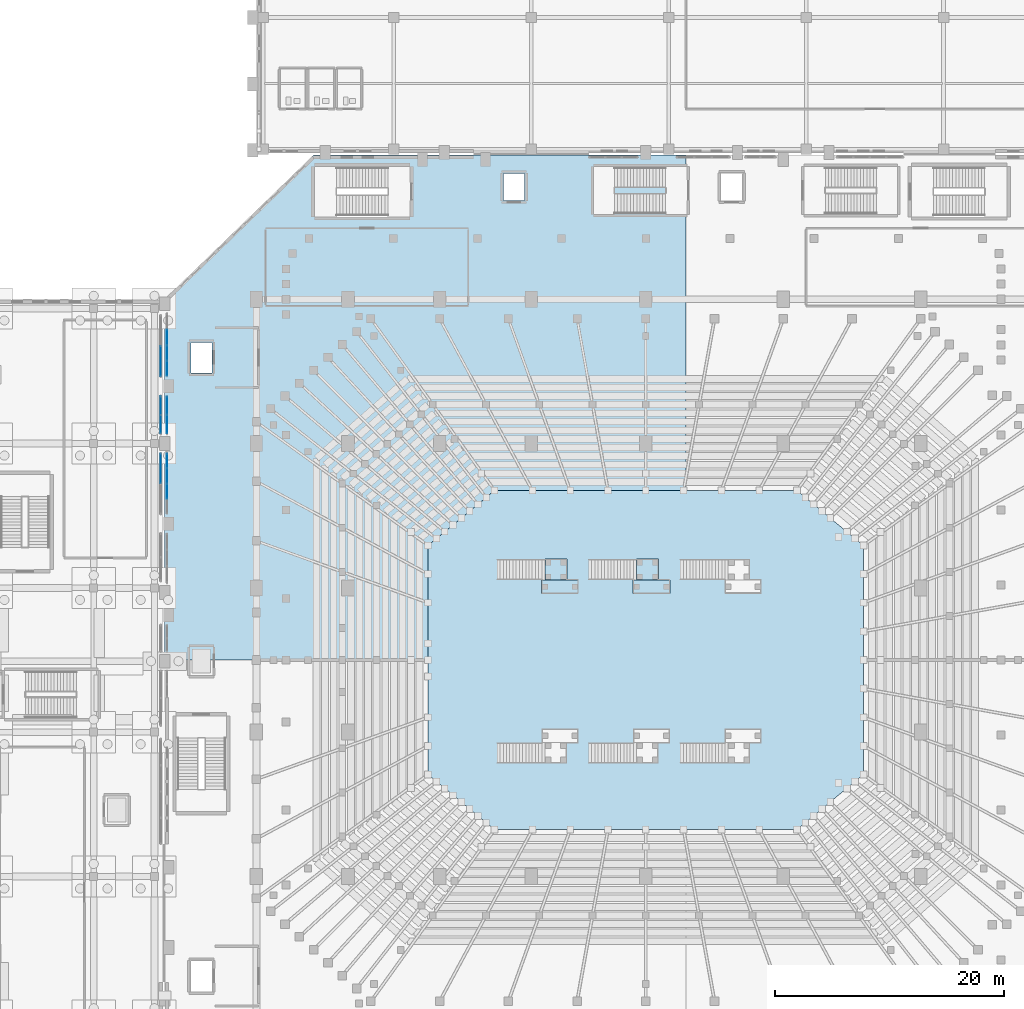
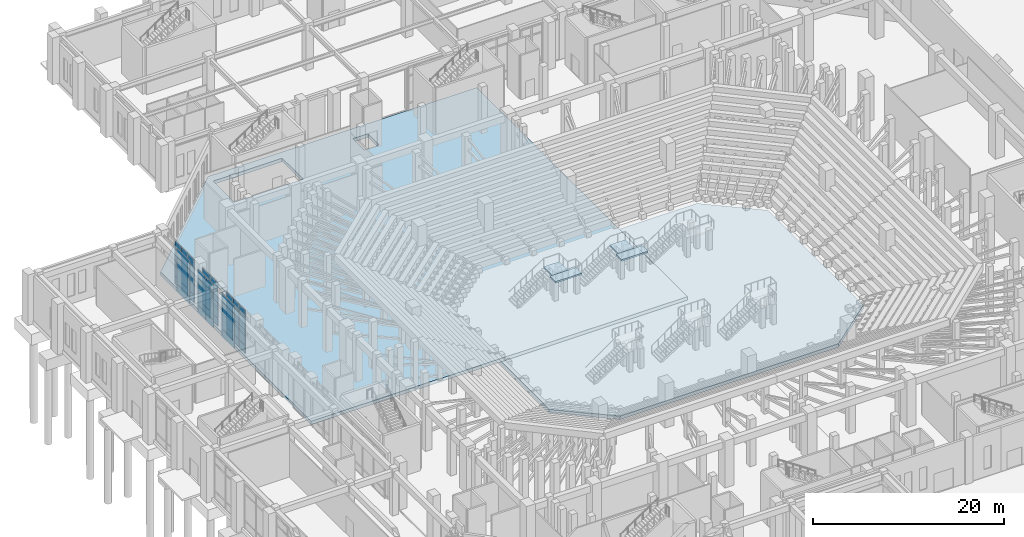
# One storey, part 84 of 143: 36 plates, 6 slabs, 8 elements without a shape of their own.
"""IFC4 building model written with IfcOpenShell, lengths in metres."""

from ifc_helpers import new_model, si_unit, derived_unit, direction, frame, origin, origin_2d, place, context, subcontext, project, spatial, polyline, rectangle, outline, extrude, material, layer, layer_set, type_object, element, aggregate, save


model = new_model("IFC4")

# Units and contexts
model_context = context("Model", 3, precision=1e-05, world=origin(), true_north=direction((0.0, 1.0)))
body_context = subcontext(model_context, "Body", "Model", "MODEL_VIEW")
ifc_project = project(units=[si_unit("LENGTHUNIT", "METRE"), si_unit("AREAUNIT", "SQUARE_METRE"), si_unit("VOLUMEUNIT", "CUBIC_METRE"), si_unit("PLANEANGLEUNIT", "RADIAN"), si_unit("MASSUNIT", "GRAM", prefix="KILO"), derived_unit("THERMALTRANSMITTANCEUNIT", [(si_unit("MASSUNIT", "GRAM", prefix="KILO"), 1), (si_unit("TIMEUNIT", "SECOND"), -3), (si_unit("THERMODYNAMICTEMPERATUREUNIT", "KELVIN"), -1)])], contexts=[model_context])

# Site, building, storey
site_placement = place(None, origin())
site = spatial("IfcSite", under=ifc_project, at=site_placement, CompositionType="ELEMENT")
building_placement = place(site_placement, origin())
building = spatial("IfcBuilding", under=site, at=building_placement, Name="Valcora Ridge Arena", CompositionType="ELEMENT")
storey_placement = place(building_placement, origin())
storey = spatial("IfcBuildingStorey", under=building, at=storey_placement, Name="L00", CompositionType="ELEMENT", Elevation=0.0)

# Stair, slab
ifc_material_1 = material(Name="Concrete C40/50", Category="concrete")
stair_type = type_object("IfcStairType", Name="TY-STAIR-VS-LOW-280", PredefinedType="STRAIGHT_RUN_STAIR", material=ifc_material_1)
stair_1_placement = place(storey_placement, origin())
stair_1 = element("IfcStair", 1, at=stair_1_placement, inside=storey, type_object=stair_type, Name="Vomitory Stair VS-ST4 (VS-LOW-280)", PredefinedType="STRAIGHT_RUN_STAIR")
ifc_layer_1 = layer(ifc_material_1, 0.199951171875, Name="Concrete C40/50")
ifc_layer_set_1 = layer_set([ifc_layer_1], Name="Concrete C40/50")
slab_type_1 = type_object("IfcSlabType", Name="TY-LAND-VS-LOW", PredefinedType="LANDING", material=ifc_layer_set_1)
slab_1_placement = place(storey_placement, frame((0.0, 0.0, 2.60009765625)))
slab_1 = element("IfcSlab", 2, at=slab_1_placement, type_object=slab_type_1, Name="VS-LOW-280 landing 1", PredefinedType="LANDING", context=body_context, shape_type="SweptSolid", body=[
    extrude(outline(polyline([(49.179931640625, 71.10009765625), (51.10009765625, 71.10009765625), (51.10009765625, 72.89990234375), (49.179931640625, 72.89990234375), (49.179931640625, 71.10009765625)])), origin(), (0.0, 0.0, 1.0), 0.199951171875),
])
aggregate(stair_1, [slab_1])

stair_2_placement = place(storey_placement, origin())
stair_2 = element("IfcStair", 3, at=stair_2_placement, inside=storey, type_object=stair_type, Name="Vomitory Stair VS-ST5 (VS-LOW-280)", PredefinedType="STRAIGHT_RUN_STAIR")
slab_2_placement = place(storey_placement, frame((0.0, 0.0, 2.60009765625)))
slab_2 = element("IfcSlab", 4, at=slab_2_placement, type_object=slab_type_1, Name="VS-LOW-280 landing 1", PredefinedType="LANDING", context=body_context, shape_type="SweptSolid", body=[
    extrude(outline(polyline([(57.179931640625, 71.10009765625), (59.10009765625, 71.10009765625), (59.10009765625, 72.89990234375), (57.179931640625, 72.89990234375), (57.179931640625, 71.10009765625)])), origin(), (0.0, 0.0, 1.0), 0.199951171875),
])
aggregate(stair_2, [slab_2])

# Curtain wall, plates
ifc_material_2 = material(Name="Anodised dark bronze architectural aluminium 6063-T6", Category="aluminium")
ifc_layer_2 = layer(ifc_material_2, 0.179931640625, Name="Anodised dark bronze architectural aluminium 6063-T6")
ifc_layer_set_2 = layer_set([ifc_layer_2], Name="Anodised dark bronze architectural aluminium 6063-T6")
curtain_wall_type_1 = type_object("IfcCurtainWallType", Name="TY-CURTAINWALL-CW-V1-GOTH-053X56", PredefinedType="NOTDEFINED", material=ifc_layer_set_2)
curtain_wall_1_placement = place(storey_placement, origin())
curtain_wall_1 = element("IfcCurtainWall", 5, at=curtain_wall_1_placement, inside=storey, type_object=curtain_wall_type_1, Name="CW-V1-GOTH-053X56 CW-0085", PredefinedType="NOTDEFINED")
ifc_material_3 = material(Name="Low-iron solar-control double glazing SHGC 0.28", Category="glass")
ifc_layer_3 = layer(ifc_material_3, 0.031982421875, Name="Low-iron solar-control double glazing SHGC 0.28")
ifc_layer_set_3 = layer_set([ifc_layer_3], Name="Low-iron solar-control double glazing SHGC 0.28")
plate_type_1 = type_object("IfcPlateType", Name="TY-PLT-CWP-1240X0960", PredefinedType="CURTAIN_PANEL", material=ifc_layer_set_3)
plate_1_placement = place(storey_placement, frame((16.199951171875, 81.47998046875, 0.06005859375), z_axis=(0.0, 0.0, 1.0), x_axis=(0.0, 1.0, 0.0)))
plate_1 = element("IfcPlate", 6, at=plate_1_placement, type_object=plate_type_1, Name="CW-0085/P03-00", PredefinedType="CURTAIN_PANEL", context=body_context, shape_type="SweptSolid", body=[
    extrude(rectangle(XDim=1.239990234375, YDim=0.031982421875, at=origin_2d()), origin(), (0.0, 0.0, 1.0), 0.9599609375),
])
ifc_layer_4 = layer(ifc_material_3, 0.031982421875, Name="Low-iron solar-control double glazing SHGC 0.28")
ifc_layer_set_4 = layer_set([ifc_layer_4], Name="Low-iron solar-control double glazing SHGC 0.28")
plate_type_2 = type_object("IfcPlateType", Name="TY-PLT-CWP-1240X1010", PredefinedType="CURTAIN_PANEL", material=ifc_layer_set_4)
plate_2_placement = place(storey_placement, frame((16.199951171875, 81.47998046875, 4.56982421875), z_axis=(0.0, 0.0, 1.0), x_axis=(0.0, 1.0, 0.0)))
plate_2 = element("IfcPlate", 7, at=plate_2_placement, type_object=plate_type_2, Name="CW-0085/P03-02", PredefinedType="CURTAIN_PANEL", context=body_context, shape_type="SweptSolid", body=[
    extrude(rectangle(XDim=1.239990234375, YDim=0.031982421875, at=origin_2d()), origin(), (0.0, 0.0, 1.0), 1.010009765625),
])
ifc_layer_5 = layer(ifc_material_3, 0.031982421875, Name="Low-iron solar-control double glazing SHGC 0.28")
ifc_layer_set_5 = layer_set([ifc_layer_5], Name="Low-iron solar-control double glazing SHGC 0.28")
plate_type_3 = type_object("IfcPlateType", Name="TY-PLT-CWP-1240X3430", PredefinedType="CURTAIN_PANEL", material=ifc_layer_set_5)
plate_3_placement = place(storey_placement, frame((16.199951171875, 81.47998046875, 1.080078125), z_axis=(0.0, 0.0, 1.0), x_axis=(0.0, 1.0, 0.0)))
plate_3 = element("IfcPlate", 8, at=plate_3_placement, type_object=plate_type_3, Name="CW-0085/P03-01", PredefinedType="CURTAIN_PANEL", context=body_context, shape_type="SweptSolid", body=[
    extrude(rectangle(XDim=1.239990234375, YDim=0.031982421875, at=origin_2d()), origin(), (0.0, 0.0, 1.0), 3.429931640625),
])
ifc_layer_6 = layer(ifc_material_3, 0.031982421875, Name="Low-iron solar-control double glazing SHGC 0.28")
ifc_layer_set_6 = layer_set([ifc_layer_6], Name="Low-iron solar-control double glazing SHGC 0.28")
plate_type_4 = type_object("IfcPlateType", Name="TY-PLT-CWP-1270X0960", PredefinedType="CURTAIN_PANEL", material=ifc_layer_set_6)
plate_4_placement = place(storey_placement, frame((16.199951171875, 78.8349609375, 0.06005859375), z_axis=(0.0, 0.0, 1.0), x_axis=(0.0, 1.0, 0.0)))
plate_4 = element("IfcPlate", 9, at=plate_4_placement, type_object=plate_type_4, Name="CW-0085/P01-00", PredefinedType="CURTAIN_PANEL", context=body_context, shape_type="SweptSolid", body=[
    extrude(rectangle(XDim=1.27001953125, YDim=0.031982421875, at=origin_2d()), origin(), (0.0, 0.0, 1.0), 0.9599609375),
])
plate_5_placement = place(storey_placement, frame((16.199951171875, 80.1650390625, 0.06005859375), z_axis=(0.0, 0.0, 1.0), x_axis=(0.0, 1.0, 0.0)))
plate_5 = element("IfcPlate", 10, at=plate_5_placement, type_object=plate_type_4, Name="CW-0085/P02-00", PredefinedType="CURTAIN_PANEL", context=body_context, shape_type="SweptSolid", body=[
    extrude(rectangle(XDim=1.27001953125, YDim=0.031982421875, at=origin_2d()), origin(), (0.0, 0.0, 1.0), 0.9599609375),
])
ifc_layer_7 = layer(ifc_material_3, 0.031982421875, Name="Low-iron solar-control double glazing SHGC 0.28")
ifc_layer_set_7 = layer_set([ifc_layer_7], Name="Low-iron solar-control double glazing SHGC 0.28")
plate_type_5 = type_object("IfcPlateType", Name="TY-PLT-CWP-1270X1010", PredefinedType="CURTAIN_PANEL", material=ifc_layer_set_7)
plate_6_placement = place(storey_placement, frame((16.199951171875, 78.8349609375, 4.56982421875), z_axis=(0.0, 0.0, 1.0), x_axis=(0.0, 1.0, 0.0)))
plate_6 = element("IfcPlate", 11, at=plate_6_placement, type_object=plate_type_5, Name="CW-0085/P01-02", PredefinedType="CURTAIN_PANEL", context=body_context, shape_type="SweptSolid", body=[
    extrude(rectangle(XDim=1.27001953125, YDim=0.031982421875, at=origin_2d()), origin(), (0.0, 0.0, 1.0), 1.010009765625),
])
plate_7_placement = place(storey_placement, frame((16.199951171875, 80.1650390625, 4.56982421875), z_axis=(0.0, 0.0, 1.0), x_axis=(0.0, 1.0, 0.0)))
plate_7 = element("IfcPlate", 12, at=plate_7_placement, type_object=plate_type_5, Name="CW-0085/P02-02", PredefinedType="CURTAIN_PANEL", context=body_context, shape_type="SweptSolid", body=[
    extrude(rectangle(XDim=1.27001953125, YDim=0.031982421875, at=origin_2d()), origin(), (0.0, 0.0, 1.0), 1.010009765625),
])
ifc_layer_8 = layer(ifc_material_3, 0.031982421875, Name="Low-iron solar-control double glazing SHGC 0.28")
ifc_layer_set_8 = layer_set([ifc_layer_8], Name="Low-iron solar-control double glazing SHGC 0.28")
plate_type_6 = type_object("IfcPlateType", Name="TY-PLT-CWP-1270X3430", PredefinedType="CURTAIN_PANEL", material=ifc_layer_set_8)
plate_8_placement = place(storey_placement, frame((16.199951171875, 78.8349609375, 1.080078125), z_axis=(0.0, 0.0, 1.0), x_axis=(0.0, 1.0, 0.0)))
plate_8 = element("IfcPlate", 13, at=plate_8_placement, type_object=plate_type_6, Name="CW-0085/P01-01", PredefinedType="CURTAIN_PANEL", context=body_context, shape_type="SweptSolid", body=[
    extrude(rectangle(XDim=1.27001953125, YDim=0.031982421875, at=origin_2d()), origin(), (0.0, 0.0, 1.0), 3.429931640625),
])
plate_9_placement = place(storey_placement, frame((16.199951171875, 80.1650390625, 1.080078125), z_axis=(0.0, 0.0, 1.0), x_axis=(0.0, 1.0, 0.0)))
plate_9 = element("IfcPlate", 14, at=plate_9_placement, type_object=plate_type_6, Name="CW-0085/P02-01", PredefinedType="CURTAIN_PANEL", context=body_context, shape_type="SweptSolid", body=[
    extrude(rectangle(XDim=1.27001953125, YDim=0.031982421875, at=origin_2d()), origin(), (0.0, 0.0, 1.0), 3.429931640625),
])
aggregate(curtain_wall_1, [plate_4, plate_8, plate_6, plate_5, plate_9, plate_7, plate_1, plate_3, plate_2])

ifc_layer_9 = layer(ifc_material_2, 0.179931640625, Name="Anodised dark bronze architectural aluminium 6063-T6")
ifc_layer_set_9 = layer_set([ifc_layer_9], Name="Anodised dark bronze architectural aluminium 6063-T6")
curtain_wall_type_2 = type_object("IfcCurtainWallType", Name="TY-CURTAINWALL-CW-V1-GOTH-055X56", PredefinedType="NOTDEFINED", material=ifc_layer_set_9)
curtain_wall_2_placement = place(storey_placement, origin())
curtain_wall_2 = element("IfcCurtainWall", 15, at=curtain_wall_2_placement, inside=storey, type_object=curtain_wall_type_2, Name="CW-V1-GOTH-055X56 CW-0087", PredefinedType="NOTDEFINED")
ifc_layer_10 = layer(ifc_material_3, 0.031982421875, Name="Low-iron solar-control double glazing SHGC 0.28")
ifc_layer_set_10 = layer_set([ifc_layer_10], Name="Low-iron solar-control double glazing SHGC 0.28")
plate_type_7 = type_object("IfcPlateType", Name="TY-PLT-CWP-1290X0960", PredefinedType="CURTAIN_PANEL", material=ifc_layer_set_10)
plate_10_placement = place(storey_placement, frame((16.199951171875, 89.544921875, 0.06005859375), z_axis=(0.0, 0.0, 1.0), x_axis=(0.0, 1.0, 0.0)))
plate_10 = element("IfcPlate", 16, at=plate_10_placement, type_object=plate_type_7, Name="CW-0087/P00-00", PredefinedType="CURTAIN_PANEL", context=body_context, shape_type="SweptSolid", body=[
    extrude(rectangle(XDim=1.2900390625, YDim=0.031982421875, at=origin_2d()), origin(), (0.0, 0.0, 1.0), 0.9599609375),
])
ifc_layer_11 = layer(ifc_material_3, 0.031982421875, Name="Low-iron solar-control double glazing SHGC 0.28")
ifc_layer_set_11 = layer_set([ifc_layer_11], Name="Low-iron solar-control double glazing SHGC 0.28")
plate_type_8 = type_object("IfcPlateType", Name="TY-PLT-CWP-1290X1010", PredefinedType="CURTAIN_PANEL", material=ifc_layer_set_11)
plate_11_placement = place(storey_placement, frame((16.199951171875, 89.544921875, 4.56982421875), z_axis=(0.0, 0.0, 1.0), x_axis=(0.0, 1.0, 0.0)))
plate_11 = element("IfcPlate", 17, at=plate_11_placement, type_object=plate_type_8, Name="CW-0087/P00-02", PredefinedType="CURTAIN_PANEL", context=body_context, shape_type="SweptSolid", body=[
    extrude(rectangle(XDim=1.2900390625, YDim=0.031982421875, at=origin_2d()), origin(), (0.0, 0.0, 1.0), 1.010009765625),
])
ifc_layer_12 = layer(ifc_material_3, 0.031982421875, Name="Low-iron solar-control double glazing SHGC 0.28")
ifc_layer_set_12 = layer_set([ifc_layer_12], Name="Low-iron solar-control double glazing SHGC 0.28")
plate_type_9 = type_object("IfcPlateType", Name="TY-PLT-CWP-1290X3430", PredefinedType="CURTAIN_PANEL", material=ifc_layer_set_12)
plate_12_placement = place(storey_placement, frame((16.199951171875, 89.544921875, 1.080078125), z_axis=(0.0, 0.0, 1.0), x_axis=(0.0, 1.0, 0.0)))
plate_12 = element("IfcPlate", 18, at=plate_12_placement, type_object=plate_type_9, Name="CW-0087/P00-01", PredefinedType="CURTAIN_PANEL", context=body_context, shape_type="SweptSolid", body=[
    extrude(rectangle(XDim=1.2900390625, YDim=0.031982421875, at=origin_2d()), origin(), (0.0, 0.0, 1.0), 3.429931640625),
])
ifc_layer_13 = layer(ifc_material_3, 0.031982421875, Name="Low-iron solar-control double glazing SHGC 0.28")
ifc_layer_set_13 = layer_set([ifc_layer_13], Name="Low-iron solar-control double glazing SHGC 0.28")
plate_type_10 = type_object("IfcPlateType", Name="TY-PLT-CWP-1320X0960", PredefinedType="CURTAIN_PANEL", material=ifc_layer_set_13)
plate_13_placement = place(storey_placement, frame((16.199951171875, 90.909912109375, 0.06005859375), z_axis=(0.0, 0.0, 1.0), x_axis=(0.0, 1.0, 0.0)))
plate_13 = element("IfcPlate", 19, at=plate_13_placement, type_object=plate_type_10, Name="CW-0087/P01-00", PredefinedType="CURTAIN_PANEL", context=body_context, shape_type="SweptSolid", body=[
    extrude(rectangle(XDim=1.320068359375, YDim=0.031982421875, at=origin_2d()), origin(), (0.0, 0.0, 1.0), 0.9599609375),
])
plate_14_placement = place(storey_placement, frame((16.199951171875, 92.2900390625, 0.06005859375), z_axis=(0.0, 0.0, 1.0), x_axis=(0.0, 1.0, 0.0)))
plate_14 = element("IfcPlate", 20, at=plate_14_placement, type_object=plate_type_10, Name="CW-0087/P02-00", PredefinedType="CURTAIN_PANEL", context=body_context, shape_type="SweptSolid", body=[
    extrude(rectangle(XDim=1.320068359375, YDim=0.031982421875, at=origin_2d()), origin(), (0.0, 0.0, 1.0), 0.9599609375),
])
ifc_layer_14 = layer(ifc_material_3, 0.031982421875, Name="Low-iron solar-control double glazing SHGC 0.28")
ifc_layer_set_14 = layer_set([ifc_layer_14], Name="Low-iron solar-control double glazing SHGC 0.28")
plate_type_11 = type_object("IfcPlateType", Name="TY-PLT-CWP-1320X1010", PredefinedType="CURTAIN_PANEL", material=ifc_layer_set_14)
plate_15_placement = place(storey_placement, frame((16.199951171875, 90.909912109375, 4.56982421875), z_axis=(0.0, 0.0, 1.0), x_axis=(0.0, 1.0, 0.0)))
plate_15 = element("IfcPlate", 21, at=plate_15_placement, type_object=plate_type_11, Name="CW-0087/P01-02", PredefinedType="CURTAIN_PANEL", context=body_context, shape_type="SweptSolid", body=[
    extrude(rectangle(XDim=1.320068359375, YDim=0.031982421875, at=origin_2d()), origin(), (0.0, 0.0, 1.0), 1.010009765625),
])
plate_16_placement = place(storey_placement, frame((16.199951171875, 92.2900390625, 4.56982421875), z_axis=(0.0, 0.0, 1.0), x_axis=(0.0, 1.0, 0.0)))
plate_16 = element("IfcPlate", 22, at=plate_16_placement, type_object=plate_type_11, Name="CW-0087/P02-02", PredefinedType="CURTAIN_PANEL", context=body_context, shape_type="SweptSolid", body=[
    extrude(rectangle(XDim=1.320068359375, YDim=0.031982421875, at=origin_2d()), origin(), (0.0, 0.0, 1.0), 1.010009765625),
])
ifc_layer_15 = layer(ifc_material_3, 0.031982421875, Name="Low-iron solar-control double glazing SHGC 0.28")
ifc_layer_set_15 = layer_set([ifc_layer_15], Name="Low-iron solar-control double glazing SHGC 0.28")
plate_type_12 = type_object("IfcPlateType", Name="TY-PLT-CWP-1320X3430", PredefinedType="CURTAIN_PANEL", material=ifc_layer_set_15)
plate_17_placement = place(storey_placement, frame((16.199951171875, 90.909912109375, 1.080078125), z_axis=(0.0, 0.0, 1.0), x_axis=(0.0, 1.0, 0.0)))
plate_17 = element("IfcPlate", 23, at=plate_17_placement, type_object=plate_type_12, Name="CW-0087/P01-01", PredefinedType="CURTAIN_PANEL", context=body_context, shape_type="SweptSolid", body=[
    extrude(rectangle(XDim=1.320068359375, YDim=0.031982421875, at=origin_2d()), origin(), (0.0, 0.0, 1.0), 3.429931640625),
])
plate_18_placement = place(storey_placement, frame((16.199951171875, 92.2900390625, 1.080078125), z_axis=(0.0, 0.0, 1.0), x_axis=(0.0, 1.0, 0.0)))
plate_18 = element("IfcPlate", 24, at=plate_18_placement, type_object=plate_type_12, Name="CW-0087/P02-01", PredefinedType="CURTAIN_PANEL", context=body_context, shape_type="SweptSolid", body=[
    extrude(rectangle(XDim=1.320068359375, YDim=0.031982421875, at=origin_2d()), origin(), (0.0, 0.0, 1.0), 3.429931640625),
])
aggregate(curtain_wall_2, [plate_10, plate_12, plate_11, plate_13, plate_17, plate_15, plate_14, plate_18, plate_16])

ifc_layer_16 = layer(ifc_material_2, 0.179931640625, Name="Anodised dark bronze architectural aluminium 6063-T6")
ifc_layer_set_16 = layer_set([ifc_layer_16], Name="Anodised dark bronze architectural aluminium 6063-T6")
curtain_wall_type_3 = type_object("IfcCurtainWallType", Name="TY-CURTAINWALL-CW-V1-GOTH-033X56", PredefinedType="NOTDEFINED", material=ifc_layer_set_16)
curtain_wall_3_placement = place(storey_placement, origin())
curtain_wall_3 = element("IfcCurtainWall", 25, at=curtain_wall_3_placement, inside=storey, type_object=curtain_wall_type_3, Name="CW-V1-GOTH-033X56 CW-0086", PredefinedType="NOTDEFINED")
ifc_layer_17 = layer(ifc_material_3, 0.031982421875, Name="Low-iron solar-control double glazing SHGC 0.28")
ifc_layer_set_17 = layer_set([ifc_layer_17], Name="Low-iron solar-control double glazing SHGC 0.28")
plate_type_13 = type_object("IfcPlateType", Name="TY-PLT-CWP-1570X0960", PredefinedType="CURTAIN_PANEL", material=ifc_layer_set_17)
plate_19_placement = place(storey_placement, frame((16.199951171875, 84.68505859375, 0.06005859375), z_axis=(0.0, 0.0, 1.0), x_axis=(0.0, 1.0, 0.0)))
plate_19 = element("IfcPlate", 26, at=plate_19_placement, type_object=plate_type_13, Name="CW-0086/P00-00", PredefinedType="CURTAIN_PANEL", context=body_context, shape_type="SweptSolid", body=[
    extrude(rectangle(XDim=1.570068359375, YDim=0.031982421875, at=origin_2d()), origin(), (0.0, 0.0, 1.0), 0.9599609375),
])
plate_20_placement = place(storey_placement, frame((16.199951171875, 86.31494140625, 0.06005859375), z_axis=(0.0, 0.0, 1.0), x_axis=(0.0, 1.0, 0.0)))
plate_20 = element("IfcPlate", 27, at=plate_20_placement, type_object=plate_type_13, Name="CW-0086/P01-00", PredefinedType="CURTAIN_PANEL", context=body_context, shape_type="SweptSolid", body=[
    extrude(rectangle(XDim=1.570068359375, YDim=0.031982421875, at=origin_2d()), origin(), (0.0, 0.0, 1.0), 0.9599609375),
])
ifc_layer_18 = layer(ifc_material_3, 0.031982421875, Name="Low-iron solar-control double glazing SHGC 0.28")
ifc_layer_set_18 = layer_set([ifc_layer_18], Name="Low-iron solar-control double glazing SHGC 0.28")
plate_type_14 = type_object("IfcPlateType", Name="TY-PLT-CWP-1570X1010", PredefinedType="CURTAIN_PANEL", material=ifc_layer_set_18)
plate_21_placement = place(storey_placement, frame((16.199951171875, 84.68505859375, 4.56982421875), z_axis=(0.0, 0.0, 1.0), x_axis=(0.0, 1.0, 0.0)))
plate_21 = element("IfcPlate", 28, at=plate_21_placement, type_object=plate_type_14, Name="CW-0086/P00-02", PredefinedType="CURTAIN_PANEL", context=body_context, shape_type="SweptSolid", body=[
    extrude(rectangle(XDim=1.570068359375, YDim=0.031982421875, at=origin_2d()), origin(), (0.0, 0.0, 1.0), 1.010009765625),
])
plate_22_placement = place(storey_placement, frame((16.199951171875, 86.31494140625, 4.56982421875), z_axis=(0.0, 0.0, 1.0), x_axis=(0.0, 1.0, 0.0)))
plate_22 = element("IfcPlate", 29, at=plate_22_placement, type_object=plate_type_14, Name="CW-0086/P01-02", PredefinedType="CURTAIN_PANEL", context=body_context, shape_type="SweptSolid", body=[
    extrude(rectangle(XDim=1.570068359375, YDim=0.031982421875, at=origin_2d()), origin(), (0.0, 0.0, 1.0), 1.010009765625),
])
ifc_layer_19 = layer(ifc_material_3, 0.031982421875, Name="Low-iron solar-control double glazing SHGC 0.28")
ifc_layer_set_19 = layer_set([ifc_layer_19], Name="Low-iron solar-control double glazing SHGC 0.28")
plate_type_15 = type_object("IfcPlateType", Name="TY-PLT-CWP-1570X3430", PredefinedType="CURTAIN_PANEL", material=ifc_layer_set_19)
plate_23_placement = place(storey_placement, frame((16.199951171875, 84.68505859375, 1.080078125), z_axis=(0.0, 0.0, 1.0), x_axis=(0.0, 1.0, 0.0)))
plate_23 = element("IfcPlate", 30, at=plate_23_placement, type_object=plate_type_15, Name="CW-0086/P00-01", PredefinedType="CURTAIN_PANEL", context=body_context, shape_type="SweptSolid", body=[
    extrude(rectangle(XDim=1.570068359375, YDim=0.031982421875, at=origin_2d()), origin(), (0.0, 0.0, 1.0), 3.429931640625),
])
plate_24_placement = place(storey_placement, frame((16.199951171875, 86.31494140625, 1.080078125), z_axis=(0.0, 0.0, 1.0), x_axis=(0.0, 1.0, 0.0)))
plate_24 = element("IfcPlate", 31, at=plate_24_placement, type_object=plate_type_15, Name="CW-0086/P01-01", PredefinedType="CURTAIN_PANEL", context=body_context, shape_type="SweptSolid", body=[
    extrude(rectangle(XDim=1.570068359375, YDim=0.031982421875, at=origin_2d()), origin(), (0.0, 0.0, 1.0), 3.429931640625),
])
aggregate(curtain_wall_3, [plate_19, plate_23, plate_21, plate_20, plate_24, plate_22])

ifc_layer_20 = layer(ifc_material_2, 0.14990234375, Name="Anodised dark bronze architectural aluminium 6063-T6")
ifc_layer_set_20 = layer_set([ifc_layer_20], Name="Anodised dark bronze architectural aluminium 6063-T6")
curtain_wall_type_4 = type_object("IfcCurtainWallType", Name="TY-CURTAINWALL-CW-V4-CLUB-033X56", PredefinedType="NOTDEFINED", material=ifc_layer_set_20)
curtain_wall_4_placement = place(storey_placement, origin())
curtain_wall_4 = element("IfcCurtainWall", 32, at=curtain_wall_4_placement, inside=storey, type_object=curtain_wall_type_4, Name="CW-V4-CLUB-033X56 CW-0202", PredefinedType="NOTDEFINED")
ifc_layer_21 = layer(ifc_material_3, 0.028076171875, Name="Low-iron solar-control double glazing SHGC 0.28")
ifc_layer_set_21 = layer_set([ifc_layer_21], Name="Low-iron solar-control double glazing SHGC 0.28")
plate_type_16 = type_object("IfcPlateType", Name="TY-PLT-CWP-1585X0975", PredefinedType="CURTAIN_PANEL", material=ifc_layer_set_21)
plate_25_placement = place(storey_placement, frame((15.64990234375, 84.6826171875, 0.050048828125), z_axis=(0.0, 0.0, 1.0), x_axis=(0.0, 1.0, 0.0)))
plate_25 = element("IfcPlate", 33, at=plate_25_placement, type_object=plate_type_16, Name="CW-0202/P00-00", PredefinedType="CURTAIN_PANEL", context=body_context, shape_type="SweptSolid", body=[
    extrude(rectangle(XDim=1.5849609375, YDim=0.028076171875, at=origin_2d()), origin(), (0.0, 0.0, 1.0), 0.97509765625),
])
plate_26_placement = place(storey_placement, frame((15.64990234375, 86.3173828125, 0.050048828125), z_axis=(0.0, 0.0, 1.0), x_axis=(0.0, 1.0, 0.0)))
plate_26 = element("IfcPlate", 34, at=plate_26_placement, type_object=plate_type_16, Name="CW-0202/P01-00", PredefinedType="CURTAIN_PANEL", context=body_context, shape_type="SweptSolid", body=[
    extrude(rectangle(XDim=1.5849609375, YDim=0.028076171875, at=origin_2d()), origin(), (0.0, 0.0, 1.0), 0.97509765625),
])
ifc_layer_22 = layer(ifc_material_3, 0.028076171875, Name="Low-iron solar-control double glazing SHGC 0.28")
ifc_layer_set_22 = layer_set([ifc_layer_22], Name="Low-iron solar-control double glazing SHGC 0.28")
plate_type_17 = type_object("IfcPlateType", Name="TY-PLT-CWP-1585X1025", PredefinedType="CURTAIN_PANEL", material=ifc_layer_set_22)
plate_27_placement = place(storey_placement, frame((15.64990234375, 84.6826171875, 4.56494140625), z_axis=(0.0, 0.0, 1.0), x_axis=(0.0, 1.0, 0.0)))
plate_27 = element("IfcPlate", 35, at=plate_27_placement, type_object=plate_type_17, Name="CW-0202/P00-02", PredefinedType="CURTAIN_PANEL", context=body_context, shape_type="SweptSolid", body=[
    extrude(rectangle(XDim=1.5849609375, YDim=0.028076171875, at=origin_2d()), origin(), (0.0, 0.0, 1.0), 1.02490234375),
])
plate_28_placement = place(storey_placement, frame((15.64990234375, 86.3173828125, 4.56494140625), z_axis=(0.0, 0.0, 1.0), x_axis=(0.0, 1.0, 0.0)))
plate_28 = element("IfcPlate", 36, at=plate_28_placement, type_object=plate_type_17, Name="CW-0202/P01-02", PredefinedType="CURTAIN_PANEL", context=body_context, shape_type="SweptSolid", body=[
    extrude(rectangle(XDim=1.5849609375, YDim=0.028076171875, at=origin_2d()), origin(), (0.0, 0.0, 1.0), 1.02490234375),
])
ifc_layer_23 = layer(ifc_material_3, 0.028076171875, Name="Low-iron solar-control double glazing SHGC 0.28")
ifc_layer_set_23 = layer_set([ifc_layer_23], Name="Low-iron solar-control double glazing SHGC 0.28")
plate_type_18 = type_object("IfcPlateType", Name="TY-PLT-CWP-1585X3440", PredefinedType="CURTAIN_PANEL", material=ifc_layer_set_23)
plate_29_placement = place(storey_placement, frame((15.64990234375, 84.6826171875, 1.074951171875), z_axis=(0.0, 0.0, 1.0), x_axis=(0.0, 1.0, 0.0)))
plate_29 = element("IfcPlate", 37, at=plate_29_placement, type_object=plate_type_18, Name="CW-0202/P00-01", PredefinedType="CURTAIN_PANEL", context=body_context, shape_type="SweptSolid", body=[
    extrude(rectangle(XDim=1.5849609375, YDim=0.028076171875, at=origin_2d()), origin(), (0.0, 0.0, 1.0), 3.43994140625),
])
plate_30_placement = place(storey_placement, frame((15.64990234375, 86.3173828125, 1.074951171875), z_axis=(0.0, 0.0, 1.0), x_axis=(0.0, 1.0, 0.0)))
plate_30 = element("IfcPlate", 38, at=plate_30_placement, type_object=plate_type_18, Name="CW-0202/P01-01", PredefinedType="CURTAIN_PANEL", context=body_context, shape_type="SweptSolid", body=[
    extrude(rectangle(XDim=1.5849609375, YDim=0.028076171875, at=origin_2d()), origin(), (0.0, 0.0, 1.0), 3.43994140625),
])
aggregate(curtain_wall_4, [plate_25, plate_29, plate_27, plate_26, plate_30, plate_28])

ifc_layer_24 = layer(ifc_material_2, 0.14990234375, Name="Anodised dark bronze architectural aluminium 6063-T6")
ifc_layer_set_24 = layer_set([ifc_layer_24], Name="Anodised dark bronze architectural aluminium 6063-T6")
curtain_wall_type_5 = type_object("IfcCurtainWallType", Name="TY-CURTAINWALL-CW-V4-CLUB-053X56", PredefinedType="NOTDEFINED", material=ifc_layer_set_24)
curtain_wall_5_placement = place(storey_placement, origin())
curtain_wall_5 = element("IfcCurtainWall", 39, at=curtain_wall_5_placement, inside=storey, type_object=curtain_wall_type_5, Name="CW-V4-CLUB-053X56 CW-0201", PredefinedType="NOTDEFINED")
ifc_layer_25 = layer(ifc_material_3, 0.028076171875, Name="Low-iron solar-control double glazing SHGC 0.28")
ifc_layer_set_25 = layer_set([ifc_layer_25], Name="Low-iron solar-control double glazing SHGC 0.28")
plate_type_19 = type_object("IfcPlateType", Name="TY-PLT-CWP-2585X0975", PredefinedType="CURTAIN_PANEL", material=ifc_layer_set_25)
plate_31_placement = place(storey_placement, frame((15.64990234375, 80.8173828125, 0.050048828125), z_axis=(0.0, 0.0, 1.0), x_axis=(0.0, 1.0, 0.0)))
plate_31 = element("IfcPlate", 40, at=plate_31_placement, type_object=plate_type_19, Name="CW-0201/P01-00", PredefinedType="CURTAIN_PANEL", context=body_context, shape_type="SweptSolid", body=[
    extrude(rectangle(XDim=2.5849609375, YDim=0.028076171875, at=origin_2d()), origin(), (0.0, 0.0, 1.0), 0.97509765625),
])
ifc_layer_26 = layer(ifc_material_3, 0.028076171875, Name="Low-iron solar-control double glazing SHGC 0.28")
ifc_layer_set_26 = layer_set([ifc_layer_26], Name="Low-iron solar-control double glazing SHGC 0.28")
plate_type_20 = type_object("IfcPlateType", Name="TY-PLT-CWP-2585X1025", PredefinedType="CURTAIN_PANEL", material=ifc_layer_set_26)
plate_32_placement = place(storey_placement, frame((15.64990234375, 80.8173828125, 4.56494140625), z_axis=(0.0, 0.0, 1.0), x_axis=(0.0, 1.0, 0.0)))
plate_32 = element("IfcPlate", 41, at=plate_32_placement, type_object=plate_type_20, Name="CW-0201/P01-02", PredefinedType="CURTAIN_PANEL", context=body_context, shape_type="SweptSolid", body=[
    extrude(rectangle(XDim=2.5849609375, YDim=0.028076171875, at=origin_2d()), origin(), (0.0, 0.0, 1.0), 1.02490234375),
])
ifc_layer_27 = layer(ifc_material_3, 0.028076171875, Name="Low-iron solar-control double glazing SHGC 0.28")
ifc_layer_set_27 = layer_set([ifc_layer_27], Name="Low-iron solar-control double glazing SHGC 0.28")
plate_type_21 = type_object("IfcPlateType", Name="TY-PLT-CWP-2585X3440", PredefinedType="CURTAIN_PANEL", material=ifc_layer_set_27)
plate_33_placement = place(storey_placement, frame((15.64990234375, 80.8173828125, 1.074951171875), z_axis=(0.0, 0.0, 1.0), x_axis=(0.0, 1.0, 0.0)))
plate_33 = element("IfcPlate", 42, at=plate_33_placement, type_object=plate_type_21, Name="CW-0201/P01-01", PredefinedType="CURTAIN_PANEL", context=body_context, shape_type="SweptSolid", body=[
    extrude(rectangle(XDim=2.5849609375, YDim=0.028076171875, at=origin_2d()), origin(), (0.0, 0.0, 1.0), 3.43994140625),
])
aggregate(curtain_wall_5, [plate_31, plate_33, plate_32])

ifc_layer_28 = layer(ifc_material_2, 0.14990234375, Name="Anodised dark bronze architectural aluminium 6063-T6")
ifc_layer_set_28 = layer_set([ifc_layer_28], Name="Anodised dark bronze architectural aluminium 6063-T6")
curtain_wall_type_6 = type_object("IfcCurtainWallType", Name="TY-CURTAINWALL-CW-V4-CLUB-054X56", PredefinedType="NOTDEFINED", material=ifc_layer_set_28)
curtain_wall_6_placement = place(storey_placement, origin())
curtain_wall_6 = element("IfcCurtainWall", 43, at=curtain_wall_6_placement, inside=storey, type_object=curtain_wall_type_6, Name="CW-V4-CLUB-054X56 CW-0203", PredefinedType="NOTDEFINED")
ifc_layer_29 = layer(ifc_material_3, 0.028076171875, Name="Low-iron solar-control double glazing SHGC 0.28")
ifc_layer_set_29 = layer_set([ifc_layer_29], Name="Low-iron solar-control double glazing SHGC 0.28")
plate_type_22 = type_object("IfcPlateType", Name="TY-PLT-CWP-2610X0975", PredefinedType="CURTAIN_PANEL", material=ifc_layer_set_29)
plate_34_placement = place(storey_placement, frame((15.64990234375, 90.195068359375, 0.050048828125), z_axis=(0.0, 0.0, 1.0), x_axis=(0.0, 1.0, 0.0)))
plate_34 = element("IfcPlate", 44, at=plate_34_placement, type_object=plate_type_22, Name="CW-0203/P00-00", PredefinedType="CURTAIN_PANEL", context=body_context, shape_type="SweptSolid", body=[
    extrude(rectangle(XDim=2.610107421875, YDim=0.028076171875, at=origin_2d()), origin(), (0.0, 0.0, 1.0), 0.97509765625),
])
ifc_layer_30 = layer(ifc_material_3, 0.028076171875, Name="Low-iron solar-control double glazing SHGC 0.28")
ifc_layer_set_30 = layer_set([ifc_layer_30], Name="Low-iron solar-control double glazing SHGC 0.28")
plate_type_23 = type_object("IfcPlateType", Name="TY-PLT-CWP-2610X1025", PredefinedType="CURTAIN_PANEL", material=ifc_layer_set_30)
plate_35_placement = place(storey_placement, frame((15.64990234375, 90.195068359375, 4.56494140625), z_axis=(0.0, 0.0, 1.0), x_axis=(0.0, 1.0, 0.0)))
plate_35 = element("IfcPlate", 45, at=plate_35_placement, type_object=plate_type_23, Name="CW-0203/P00-02", PredefinedType="CURTAIN_PANEL", context=body_context, shape_type="SweptSolid", body=[
    extrude(rectangle(XDim=2.610107421875, YDim=0.028076171875, at=origin_2d()), origin(), (0.0, 0.0, 1.0), 1.02490234375),
])
ifc_layer_31 = layer(ifc_material_3, 0.028076171875, Name="Low-iron solar-control double glazing SHGC 0.28")
ifc_layer_set_31 = layer_set([ifc_layer_31], Name="Low-iron solar-control double glazing SHGC 0.28")
plate_type_24 = type_object("IfcPlateType", Name="TY-PLT-CWP-2610X3440", PredefinedType="CURTAIN_PANEL", material=ifc_layer_set_31)
plate_36_placement = place(storey_placement, frame((15.64990234375, 90.195068359375, 1.074951171875), z_axis=(0.0, 0.0, 1.0), x_axis=(0.0, 1.0, 0.0)))
plate_36 = element("IfcPlate", 46, at=plate_36_placement, type_object=plate_type_24, Name="CW-0203/P00-01", PredefinedType="CURTAIN_PANEL", context=body_context, shape_type="SweptSolid", body=[
    extrude(rectangle(XDim=2.610107421875, YDim=0.028076171875, at=origin_2d()), origin(), (0.0, 0.0, 1.0), 3.43994140625),
])
aggregate(curtain_wall_6, [plate_34, plate_36, plate_35])

# Slabs
ifc_layer_32 = layer(ifc_material_1, 0.43994140625, Name="Concrete C40/50")
ifc_layer_set_32 = layer_set([ifc_layer_32], Name="Concrete C40/50")
slab_type_2 = type_object("IfcSlabType", Name="TY-SLAB-SL-EVT-380-NW", PredefinedType="FLOOR", material=ifc_layer_set_32)
slab_3_placement = place(storey_placement, frame((0.0, 0.0, -0.43994140625)))
element("IfcSlab", 47, at=slab_3_placement, inside=storey, type_object=slab_type_2, Name="SL-EVT-380-NW SLB-0013", PredefinedType="FLOOR", context=body_context, shape_type="SweptSolid", body=[
    extrude(outline(polyline([(16.0, 95.60009765625), (16.0, 64.10009765625), (61.5, 64.10009765625), (61.5, 108.199951171875), (29.0, 108.199951171875), (16.0, 95.60009765625)]), holes=[polyline([(37.39990234375, 102.800048828125), (37.39990234375, 107.199951171875), (29.080078125, 107.199951171875), (29.080078125, 102.800048828125), (37.39990234375, 102.800048828125)]), polyline([(18.280029296875, 91.820068359375), (18.280029296875, 89.179931640625), (20.1201171875, 89.179931640625), (20.1201171875, 91.820068359375), (18.280029296875, 91.820068359375)]), polyline([(45.580078125, 106.570068359375), (45.580078125, 104.22998046875), (47.419921875, 104.22998046875), (47.419921875, 106.570068359375), (45.580078125, 106.570068359375)])]), origin(), (0.0, 0.0, 1.0), 0.43994140625),
])
ifc_layer_33 = layer(ifc_material_1, 0.43994140625, Name="Concrete C40/50")
ifc_layer_set_33 = layer_set([ifc_layer_33], Name="Concrete C40/50")
slab_type_3 = type_object("IfcSlabType", Name="TY-SLAB-SL-MAT-EVT", PredefinedType="FLOOR", material=ifc_layer_set_33)
slab_4_placement = place(storey_placement, frame((0.0, 0.0, -0.8798828125)))
element("IfcSlab", 48, at=slab_4_placement, inside=storey, type_object=slab_type_3, Name="SL-MAT-EVT SLB-0034", PredefinedType="FLOOR", context=body_context, shape_type="SweptSolid", body=[
    extrude(outline(polyline([(44.800048828125, 49.300048828125), (71.199951171875, 49.300048828125), (77.0, 54.10009765625), (77.0, 74.10009765625), (71.199951171875, 78.89990234375), (44.800048828125, 78.89990234375), (39.0, 74.10009765625), (39.0, 54.10009765625), (44.800048828125, 49.300048828125)])), origin(), (0.0, 0.0, 1.0), 0.43994140625),
])
ifc_material_4 = material(Name="Precast concrete C45/55", Category="concrete")
ifc_layer_34 = layer(ifc_material_4, 0.199951171875, Name="Precast concrete C45/55")
ifc_layer_set_34 = layer_set([ifc_layer_34], Name="Precast concrete C45/55")
slab_type_4 = type_object("IfcSlabType", Name="TY-SLAB-ST-LOW-VOM", PredefinedType="USERDEFINED", material=ifc_layer_set_34)
slab_5_placement = place(storey_placement, frame((0.0, 0.0, 2.60009765625)))
element("IfcSlab", 49, at=slab_5_placement, inside=storey, type_object=slab_type_4, Name="ST-LOW-VOM SLB-TR-0596", ObjectType="SEATING TIER", PredefinedType="USERDEFINED", context=body_context, shape_type="SweptSolid", body=[
    extrude(outline(polyline([(48.89990234375, 69.89990234375), (52.10009765625, 69.89990234375), (52.10009765625, 71.10009765625), (48.89990234375, 71.10009765625), (48.89990234375, 69.89990234375)])), origin(), (0.0, 0.0, 1.0), 0.199951171875),
])
slab_6_placement = place(storey_placement, frame((0.0, 0.0, 2.60009765625)))
element("IfcSlab", 50, at=slab_6_placement, inside=storey, type_object=slab_type_4, Name="ST-LOW-VOM SLB-TR-0597", ObjectType="SEATING TIER", PredefinedType="USERDEFINED", context=body_context, shape_type="SweptSolid", body=[
    extrude(outline(polyline([(56.89990234375, 69.89990234375), (60.10009765625, 69.89990234375), (60.10009765625, 71.10009765625), (56.89990234375, 71.10009765625), (56.89990234375, 69.89990234375)])), origin(), (0.0, 0.0, 1.0), 0.199951171875),
])

save(model, "model.ifc")
